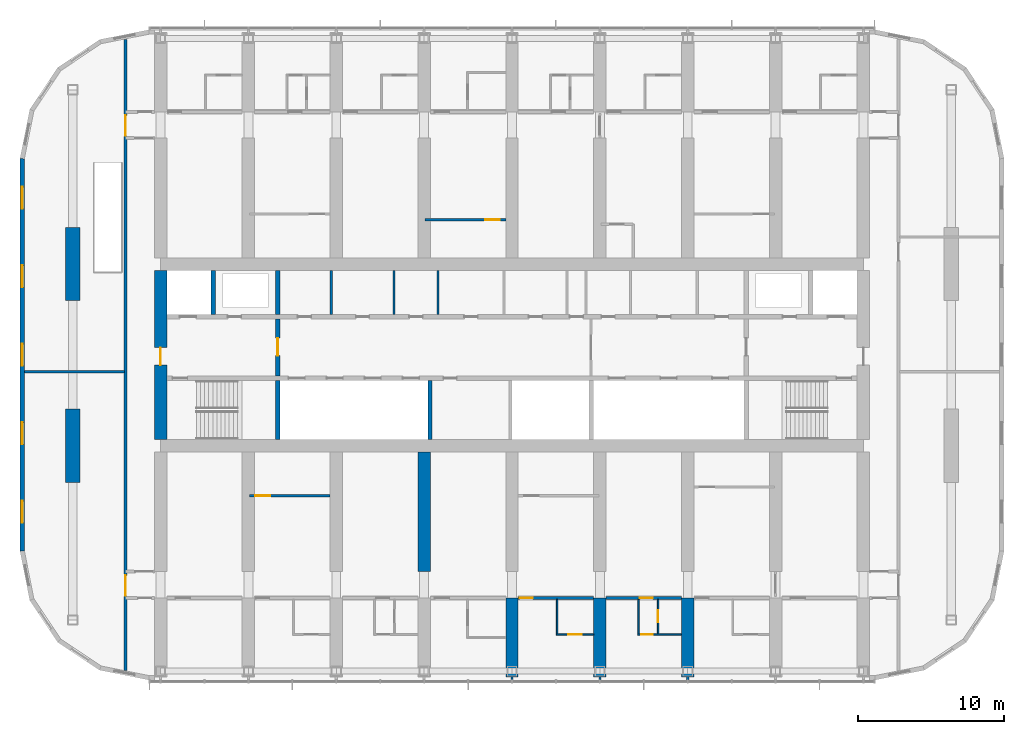
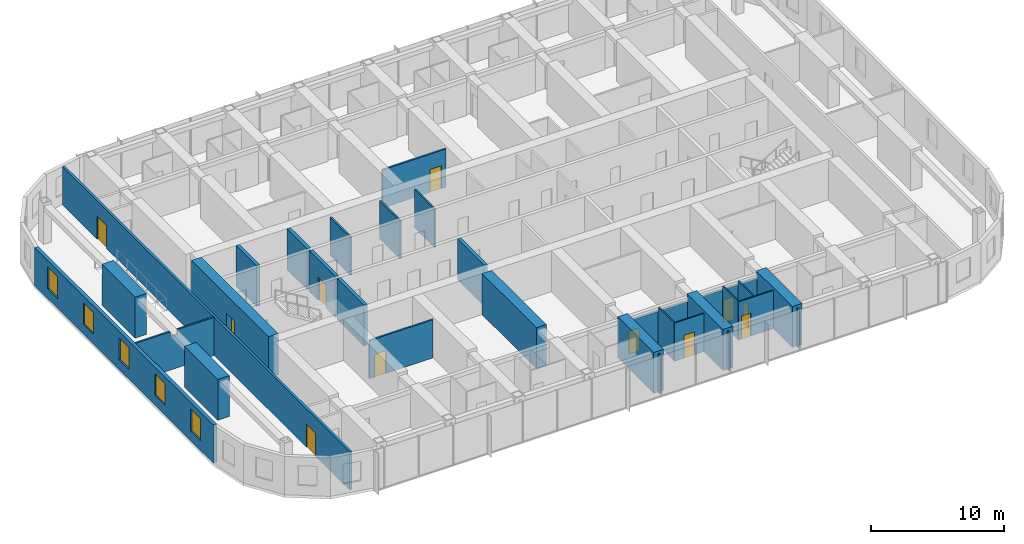
# One storey, part 11 of 22: 30 walls, 11 doors, 5 windows, 16 openings.
"""IFC4 building model written with IfcOpenShell, lengths in metres."""

from ifc_helpers import new_model, si_unit, direction, frame, frame_2d, origin, place, context, subcontext, project, spatial, polyline, rectangle, outline, extrude, material, layer, layer_set, type_object, element, fill, save


model = new_model("IFC4")

# Units and contexts
model_context = context("Model", 3, precision=1e-05, world=origin(), true_north=direction((0.0, 1.0)))
body_context = subcontext(model_context, "Body", "Model", "MODEL_VIEW")
ifc_project = project(units=[si_unit("LENGTHUNIT", "METRE"), si_unit("AREAUNIT", "SQUARE_METRE"), si_unit("VOLUMEUNIT", "CUBIC_METRE"), si_unit("PLANEANGLEUNIT", "RADIAN"), si_unit("MASSUNIT", "GRAM", prefix="KILO")], contexts=[model_context])

# Site, building, storey
site_placement = place(None, origin())
site = spatial("IfcSite", under=ifc_project, at=site_placement, CompositionType="ELEMENT")
building_placement = place(site_placement, origin())
building = spatial("IfcBuilding", under=site, at=building_placement, Name="Orbita Commons", CompositionType="ELEMENT")
storey_placement = place(building_placement, frame((0.0, 0.0, 152.35009765625)))
storey = spatial("IfcBuildingStorey", under=building, at=storey_placement, Name="L37", CompositionType="ELEMENT", Elevation=152.35009765625)

# Wall
ifc_material_1 = material(Name="Concrete C50/60", Category="concrete")
ifc_layer_1 = layer(ifc_material_1, 0.300048828125)
ifc_layer_set_1 = layer_set([ifc_layer_1], Name="Concrete C50/60")
wall_type_1 = type_object("IfcWallType", Name="Core inner wall 300 C50/60", PredefinedType="SHEAR", material=ifc_layer_set_1)
wall_1_placement = place(storey_placement, frame((26.0, 26.22509765625, 0.0), z_axis=(0.0, 0.0, 1.0), x_axis=(0.0, 1.0, 0.0)))
element("IfcWall", 1, at=wall_1_placement, inside=storey, type_object=wall_type_1, Name="Stair S1 wall L37", PredefinedType="SHEAR", context=body_context, shape_type="SweptSolid", body=[
    extrude(rectangle(XDim=4.02490234375, YDim=0.300048828125, at=frame_2d((2.012451171875, 0.0))), origin(), (0.0, 0.0, 1.0), 3.75),
])

# Wall, opening, door
wall_2_placement = place(storey_placement, frame((26.0, 30.550048828125, 0.0), z_axis=(0.0, 0.0, 1.0), x_axis=(0.0, 1.0, 0.0)))
wall_2 = element("IfcWall", 2, at=wall_2_placement, inside=storey, type_object=wall_type_1, Name="Firefighting lobby wall west L37", PredefinedType="SHEAR", context=body_context, shape_type="SweptSolid", body=[
    extrude(rectangle(XDim=3.89990234375, YDim=0.300048828125, at=frame_2d((1.949951171875, 0.0))), origin(), (0.0, 0.0, 1.0), 3.75),
])
opening_1_placement = place(wall_2_placement, frame((1.39990234375, 0.0, 0.0)))
opening_1 = element("IfcOpeningElement", 3, at=opening_1_placement, cuts=wall_2, Name="Opening D04", PredefinedType="OPENING", context=body_context, shape_type="SweptSolid", body=[
    extrude(rectangle(XDim=1.199951171875, YDim=2.10009765625, at=frame_2d((0.60009765625, 1.050048828125))), frame((0.0, 0.159912109375, 0.0), z_axis=(0.0, -1.0, 0.0), x_axis=(1.0, 0.0, 0.0)), (0.0, 0.0, 1.0), 0.320068359375),
])
ifc_material_2 = material(Name="Steel-faced fire door leaf", Category="steel")
door_type_1 = type_object("IfcDoorType", Name="Service door 20 min 1200x2100", OperationType="SINGLE_SWING_LEFT", PredefinedType="DOOR", material=ifc_material_2)
door_1_placement = place(opening_1_placement, origin())
door_1 = element("IfcDoor", 4, at=door_1_placement, inside=storey, type_object=door_type_1, Name="Lift lobby door west", OperationType="SINGLE_SWING_LEFT", OverallHeight=2.10009765625, OverallWidth=1.199951171875, PredefinedType="DOOR", context=body_context, shape_type="SweptSolid", body=[
    extrude(rectangle(XDim=1.199951171875, YDim=2.10009765625, at=frame_2d((0.60009765625, 1.050048828125))), frame((0.0, 0.02490234375, 0.0), z_axis=(0.0, -1.0, 0.0), x_axis=(1.0, 0.0, 0.0)), (0.0, 0.0, 1.0), 0.050048828125),
])
fill(opening_1, door_1)

# Walls
for number, where, z_axis, x_axis, name in (
    (5, (21.60009765625, 34.75, 0.0), (0.0, 0.0, 1.0), (0.0, 1.0, 0.0), "Firefighting lift FL1 shaft wall L37"),
    (6, (26.0, 34.75, 0.0), (0.0, 0.0, 1.0), (0.0, 1.0, 0.0), "Riser wall west L37"),
):
    element("IfcWall", number, at=place(storey_placement, frame(where, z_axis=z_axis, x_axis=x_axis)), inside=storey, type_object=wall_type_1, Name=name, PredefinedType="SHEAR", context=body_context, shape_type="SweptSolid", body=[
        extrude(rectangle(XDim=3.02490234375, YDim=0.300048828125, at=frame_2d((1.512451171875, 0.0))), origin(), (0.0, 0.0, 1.0), 3.75),
    ])
wall_3_placement = place(storey_placement, frame((36.39990234375, 26.22509765625, 0.0), z_axis=(0.0, 0.0, 1.0), x_axis=(0.0, 1.0, 0.0)))
element("IfcWall", 7, at=wall_3_placement, inside=storey, type_object=wall_type_1, Name="Hoistway division wall L37", PredefinedType="SHEAR", context=body_context, shape_type="SweptSolid", body=[
    extrude(rectangle(XDim=4.02490234375, YDim=0.300048828125, at=frame_2d((2.012451171875, 0.0))), origin(), (0.0, 0.0, 1.0), 3.75),
])
ifc_material_3 = material(Name="Concrete blockwork", Category="masonry")
ifc_layer_2 = layer(ifc_material_3, 0.14990234375)
ifc_layer_set_2 = layer_set([ifc_layer_2], Name="Concrete blockwork")
wall_type_2 = type_object("IfcWallType", Name="Core partition 150 blockwork", PredefinedType="SOLIDWALL", material=ifc_layer_set_2)
for number, where, z_axis, x_axis, name in (
    (8, (29.65087890625, 34.75, 0.0), (0.0, 0.0, 1.0), (0.0, 1.0, 0.0), "Core partition 150 blockwork L37"),
    (9, (33.9462890625, 34.75, 0.0), (0.0, 0.0, 1.0), (0.0, 1.0, 0.0), "Core partition 150 blockwork L37"),
    (10, (36.9462890625, 34.75, 0.0), (0.0, 0.0, 1.0), (0.0, 1.0, 0.0), "Core partition 150 blockwork L37"),
):
    element("IfcWall", number, at=place(storey_placement, frame(where, z_axis=z_axis, x_axis=x_axis)), inside=storey, type_object=wall_type_2, Name=name, PredefinedType="SOLIDWALL", context=body_context, shape_type="SweptSolid", body=[
        extrude(rectangle(XDim=3.02490234375, YDim=0.14990234375, at=frame_2d((1.512451171875, 0.0))), origin(), (0.0, 0.0, 1.0), 3.5),
    ])

# Wall, opening, door
ifc_material_4 = material(Name="Concrete C50/60", Category="concrete")
ifc_layer_3 = layer(ifc_material_4, 0.85009765625)
ifc_layer_set_3 = layer_set([ifc_layer_3], Name="Concrete C50/60")
wall_type_3 = type_object("IfcWallType", Name="Core wall 850 C50/60", PredefinedType="SHEAR", material=ifc_layer_set_3)
wall_4_placement = place(storey_placement, frame((18.0, 26.22509765625, 0.0), z_axis=(0.0, 0.0, 1.0), x_axis=(0.0, 1.0, 0.0)))
wall_4 = element("IfcWall", 11, at=wall_4_placement, inside=storey, type_object=wall_type_3, Name="Core end wall west L37", PredefinedType="SHEAR", context=body_context, shape_type="SweptSolid", body=[
    extrude(rectangle(XDim=11.5498046875, YDim=0.85009765625, at=frame_2d((5.77490234375, 0.0))), origin(), (0.0, 0.0, 1.0), 3.75),
])
opening_2_placement = place(wall_4_placement, frame((5.074951171875, 0.0, 0.0)))
opening_2 = element("IfcOpeningElement", 12, at=opening_2_placement, cuts=wall_4, Name="Opening D01", PredefinedType="OPENING", context=body_context, shape_type="SweptSolid", body=[
    extrude(rectangle(XDim=1.199951171875, YDim=2.10009765625, at=frame_2d((0.60009765625, 1.050048828125))), frame((0.0, 0.43505859375, 0.0), z_axis=(0.0, -1.0, 0.0), x_axis=(1.0, 0.0, 0.0)), (0.0, 0.0, 1.0), 0.8701171875),
])
ifc_material_5 = material(Name="Steel-faced fire door leaf", Category="steel")
door_type_2 = type_object("IfcDoorType", Name="Fire door 90 min 1200x2100", OperationType="SINGLE_SWING_LEFT", PredefinedType="DOOR", material=ifc_material_5)
door_2_placement = place(opening_2_placement, origin())
door_2 = element("IfcDoor", 13, at=door_2_placement, inside=storey, type_object=door_type_2, Name="Firefighting lobby west door", OperationType="SINGLE_SWING_LEFT", OverallHeight=2.10009765625, OverallWidth=1.199951171875, PredefinedType="DOOR", context=body_context, shape_type="SweptSolid", body=[
    extrude(rectangle(XDim=1.199951171875, YDim=2.10009765625, at=frame_2d((0.60009765625, 1.050048828125))), frame((0.0, 0.02490234375, 0.0), z_axis=(0.0, -1.0, 0.0), x_axis=(1.0, 0.0, 0.0)), (0.0, 0.0, 1.0), 0.050048828125),
])
fill(opening_2, door_2)

ifc_material_6 = material(Name="Concrete blockwork", Category="masonry")
ifc_layer_4 = layer(ifc_material_6, 0.199951171875)
ifc_layer_set_4 = layer_set([ifc_layer_4], Name="Concrete blockwork")
wall_type_4 = type_object("IfcWallType", Name="Corridor wall 200 blockwork", PredefinedType="SOLIDWALL", material=ifc_layer_set_4)
wall_5_placement = place(storey_placement, frame((42.425048828125, 15.39990234375, 0.0), z_axis=(0.0, 0.0, 1.0), x_axis=(1.0, 0.0, 0.0)))
wall_5 = element("IfcWall", 14, at=wall_5_placement, inside=storey, type_object=wall_type_4, Name="Corridor wall 200 blockwork L37", PredefinedType="SOLIDWALL", context=body_context, shape_type="SweptSolid", body=[
    extrude(outline(polyline([(0.0, 0.0), (5.14990234375, 0.0), (5.14990234375, 3.099853515625), (0.0, 3.099853515625), (0.0, 0.0)])), frame((0.0, 0.10009765625, 0.0), z_axis=(0.0, -1.0, 0.0), x_axis=(1.0, 0.0, 0.0)), (0.0, 0.0, 1.0), 0.199951171875),
])
opening_3_placement = place(wall_5_placement, frame((0.10009765625, 0.0, 0.0)))
opening_3 = element("IfcOpeningElement", 15, at=opening_3_placement, cuts=wall_5, Name="Opening D11", PredefinedType="OPENING", context=body_context, shape_type="SweptSolid", body=[
    extrude(rectangle(XDim=0.89990234375, YDim=2.10009765625, at=frame_2d((0.449951171875, 1.050048828125))), frame((0.0, 0.10986328125, 0.0), z_axis=(0.0, -1.0, 0.0), x_axis=(1.0, 0.0, 0.0)), (0.0, 0.0, 1.0), 0.219970703125),
])
ifc_material_7 = material(Name="Steel-faced fire door leaf", Category="steel")
door_type_3 = type_object("IfcDoorType", Name="Corridor door 20 min 900x2100", OperationType="SINGLE_SWING_LEFT", PredefinedType="DOOR", material=ifc_material_7)
door_3_placement = place(opening_3_placement, origin())
door_3 = element("IfcDoor", 16, at=door_3_placement, inside=storey, type_object=door_type_3, Name="Twin room L37-S08 door", OperationType="SINGLE_SWING_LEFT", OverallHeight=2.10009765625, OverallWidth=0.89990234375, PredefinedType="DOOR", context=body_context, shape_type="SweptSolid", body=[
    extrude(rectangle(XDim=0.89990234375, YDim=2.10009765625, at=frame_2d((0.449951171875, 1.050048828125))), frame((0.0, 0.02490234375, 0.0), z_axis=(0.0, -1.0, 0.0), x_axis=(1.0, 0.0, 0.0)), (0.0, 0.0, 1.0), 0.050048828125),
])
fill(opening_3, door_3)

wall_6_placement = place(storey_placement, frame((48.425048828125, 15.39990234375, 0.0), z_axis=(0.0, 0.0, 1.0), x_axis=(1.0, 0.0, 0.0)))
wall_6 = element("IfcWall", 17, at=wall_6_placement, inside=storey, type_object=wall_type_4, Name="Corridor wall 200 blockwork L37", PredefinedType="SOLIDWALL", context=body_context, shape_type="SweptSolid", body=[
    extrude(outline(polyline([(0.0, 0.0), (5.14990234375, 0.0), (5.14990234375, 3.099853515625), (0.0, 3.099853515625), (0.0, 0.0)])), frame((0.0, 0.10009765625, 0.0), z_axis=(0.0, -1.0, 0.0), x_axis=(1.0, 0.0, 0.0)), (0.0, 0.0, 1.0), 0.199951171875),
])
opening_4_placement = place(wall_6_placement, frame((2.300048828125, 0.0, 0.0)))
opening_4 = element("IfcOpeningElement", 18, at=opening_4_placement, cuts=wall_6, Name="Opening D11", PredefinedType="OPENING", context=body_context, shape_type="SweptSolid", body=[
    extrude(rectangle(XDim=0.89990234375, YDim=2.10009765625, at=frame_2d((0.449951171875, 1.050048828125))), frame((0.0, 0.10986328125, 0.0), z_axis=(0.0, -1.0, 0.0), x_axis=(1.0, 0.0, 0.0)), (0.0, 0.0, 1.0), 0.219970703125),
])
door_4_placement = place(opening_4_placement, origin())
door_4 = element("IfcDoor", 19, at=door_4_placement, inside=storey, type_object=door_type_3, Name="Studio flat L37-S10 entrance door", OperationType="SINGLE_SWING_LEFT", OverallHeight=2.10009765625, OverallWidth=0.89990234375, PredefinedType="DOOR", context=body_context, shape_type="SweptSolid", body=[
    extrude(rectangle(XDim=0.89990234375, YDim=2.10009765625, at=frame_2d((0.449951171875, 1.050048828125))), frame((0.0, 0.02490234375, 0.0), z_axis=(0.0, -1.0, 0.0), x_axis=(1.0, 0.0, 0.0)), (0.0, 0.0, 1.0), 0.050048828125),
])
fill(opening_4, door_4)

# Wall, openings, doors
wall_7_placement = place(storey_placement, frame((15.60009765625, 10.4462890625, 0.0), z_axis=(0.0, 0.0, 1.0), x_axis=(0.0, 1.0, 0.0)))
wall_7 = element("IfcWall", 20, at=wall_7_placement, inside=storey, type_object=wall_type_4, Name="Corridor wall 200 blockwork L37", PredefinedType="SOLIDWALL", context=body_context, shape_type="SweptSolid", body=[
    extrude(rectangle(XDim=43.107421875, YDim=0.199951171875, at=frame_2d((21.5537109375, 0.0))), origin(), (0.0, 0.0, 1.0), 3.5),
])
opening_5_placement = place(wall_7_placement, frame((5.103759765625, 0.0, 0.0)))
opening_5 = element("IfcOpeningElement", 21, at=opening_5_placement, cuts=wall_7, Name="Opening D08", PredefinedType="OPENING", context=body_context, shape_type="SweptSolid", body=[
    extrude(rectangle(XDim=1.39990234375, YDim=2.10009765625, at=frame_2d((0.699951171875, 1.050048828125))), frame((0.0, 0.10986328125, 0.0), z_axis=(0.0, -1.0, 0.0), x_axis=(1.0, 0.0, 0.0)), (0.0, 0.0, 1.0), 0.219970703125),
])
opening_6_placement = place(wall_7_placement, frame((36.50390625, 0.0, 0.0)))
opening_6 = element("IfcOpeningElement", 22, at=opening_6_placement, cuts=wall_7, Name="Opening D08", PredefinedType="OPENING", context=body_context, shape_type="SweptSolid", body=[
    extrude(rectangle(XDim=1.39990234375, YDim=2.10009765625, at=frame_2d((0.699951171875, 1.050048828125))), frame((0.0, 0.10986328125, 0.0), z_axis=(0.0, -1.0, 0.0), x_axis=(1.0, 0.0, 0.0)), (0.0, 0.0, 1.0), 0.219970703125),
])
ifc_material_8 = material(Name="Steel-faced fire door leaf", Category="steel")
door_type_4 = type_object("IfcDoorType", Name="Double corridor door 20 min 1400x2100", OperationType="DOUBLE_DOOR_SINGLE_SWING", PredefinedType="DOOR", material=ifc_material_8)
door_5_placement = place(opening_5_placement, origin())
door_5 = element("IfcDoor", 23, at=door_5_placement, inside=storey, type_object=door_type_4, Name="Lounge doors", OperationType="DOUBLE_DOOR_SINGLE_SWING", OverallHeight=2.10009765625, OverallWidth=1.39990234375, PredefinedType="DOOR", context=body_context, shape_type="SweptSolid", body=[
    extrude(rectangle(XDim=1.39990234375, YDim=2.10009765625, at=frame_2d((0.699951171875, 1.050048828125))), frame((0.0, 0.02490234375, 0.0), z_axis=(0.0, -1.0, 0.0), x_axis=(1.0, 0.0, 0.0)), (0.0, 0.0, 1.0), 0.050048828125),
])
fill(opening_5, door_5)
door_6_placement = place(opening_6_placement, origin())
door_6 = element("IfcDoor", 24, at=door_6_placement, inside=storey, type_object=door_type_4, Name="Lounge doors", OperationType="DOUBLE_DOOR_SINGLE_SWING", OverallHeight=2.10009765625, OverallWidth=1.39990234375, PredefinedType="DOOR", context=body_context, shape_type="SweptSolid", body=[
    extrude(rectangle(XDim=1.39990234375, YDim=2.10009765625, at=frame_2d((0.699951171875, 1.050048828125))), frame((0.0, 0.02490234375, 0.0), z_axis=(0.0, -1.0, 0.0), x_axis=(1.0, 0.0, 0.0)), (0.0, 0.0, 1.0), 0.050048828125),
])
fill(opening_6, door_6)

# Walls
ifc_material_9 = material(Name="Concrete C50/60", Category="concrete")
ifc_layer_5 = layer(ifc_material_9, 0.85009765625)
ifc_layer_set_5 = layer_set([ifc_layer_5], Name="Concrete C50/60")
wall_type_5 = type_object("IfcWallType", Name="Cross wall 850 C50/60", PredefinedType="SHEAR", material=ifc_layer_set_5)
wall_8_placement = place(storey_placement, frame((36.0, 17.199951171875, 0.0), z_axis=(0.0, 0.0, 1.0), x_axis=(0.0, 1.0, 0.0)))
element("IfcWall", 25, at=wall_8_placement, inside=storey, type_object=wall_type_5, Name="Cross wall 7 south inner L37", PredefinedType="SHEAR", context=body_context, shape_type="SweptSolid", body=[
    extrude(rectangle(XDim=8.175048828125, YDim=0.85009765625, at=frame_2d((4.08740234375, 0.0))), origin(), (0.0, 0.0, 1.0), 3.75),
])
for number, where, z_axis, x_axis, name in (
    (26, (42.0, 10.0, 0.0), (0.0, 0.0, 1.0), (0.0, 1.0, 0.0), "Cross wall 8 south outer L37"),
    (27, (48.0, 10.0, 0.0), (0.0, 0.0, 1.0), (0.0, 1.0, 0.0), "Cross wall 9 south outer L37"),
    (28, (54.0, 10.0, 0.0), (0.0, 0.0, 1.0), (0.0, 1.0, 0.0), "Cross wall 10 south outer L37"),
):
    element("IfcWall", number, at=place(storey_placement, frame(where, z_axis=z_axis, x_axis=x_axis)), inside=storey, type_object=wall_type_5, Name=name, PredefinedType="SHEAR", context=body_context, shape_type="SweptSolid", body=[
        extrude(rectangle(XDim=5.39990234375, YDim=0.85009765625, at=frame_2d((2.699951171875, 0.0))), origin(), (0.0, 0.0, 1.0), 3.75),
    ])

# Wall, opening, door
ifc_material_10 = material(Name="Moisture-resistant plasterboard on steel studs", Category="steel")
ifc_layer_6 = layer(ifc_material_10, 0.10009765625)
ifc_layer_set_6 = layer_set([ifc_layer_6], Name="Moisture-resistant plasterboard on steel studs")
wall_type_6 = type_object("IfcWallType", Name="En-suite partition 100", PredefinedType="PARTITIONING", material=ifc_layer_set_6)
wall_9_placement = place(storey_placement, frame((47.574951171875, 12.89990234375, 0.0), z_axis=(0.0, 0.0, 1.0), x_axis=(-1.0, 0.0, 0.0)))
wall_9 = element("IfcWall", 29, at=wall_9_placement, inside=storey, type_object=wall_type_6, Name="En-suite partition 100 L37", PredefinedType="PARTITIONING", context=body_context, shape_type="SweptSolid", body=[
    extrude(rectangle(XDim=2.550048828125, YDim=0.10009765625, at=frame_2d((1.27490234375, 0.0))), origin(), (0.0, 0.0, 1.0), 3.5),
])
opening_7_placement = place(wall_9_placement, frame((0.824951171875, 0.0, 0.0)))
opening_7 = element("IfcOpeningElement", 30, at=opening_7_placement, cuts=wall_9, Name="Opening D09", PredefinedType="OPENING", context=body_context, shape_type="SweptSolid", body=[
    extrude(rectangle(XDim=0.89990234375, YDim=2.10009765625, at=frame_2d((0.449951171875, 1.050048828125))), frame((0.0, 0.06005859375, 0.0), z_axis=(0.0, -1.0, 0.0), x_axis=(1.0, 0.0, 0.0)), (0.0, 0.0, 1.0), 0.1201171875),
])
ifc_material_11 = material(Name="Laminated timber door leaf", Category="wood")
door_type_5 = type_object("IfcDoorType", Name="En-suite door 900x2100", OperationType="SINGLE_SWING_RIGHT", PredefinedType="DOOR", material=ifc_material_11)
door_7_placement = place(opening_7_placement, origin())
door_7 = element("IfcDoor", 31, at=door_7_placement, inside=storey, type_object=door_type_5, Name="En-suite L37-S08 door", OperationType="SINGLE_SWING_RIGHT", OverallHeight=2.10009765625, OverallWidth=0.89990234375, PredefinedType="DOOR", context=body_context, shape_type="SweptSolid", body=[
    extrude(rectangle(XDim=0.89990234375, YDim=2.10009765625, at=frame_2d((0.449951171875, 1.050048828125))), frame((0.0, 0.02490234375, 0.0), z_axis=(0.0, -1.0, 0.0), x_axis=(1.0, 0.0, 0.0)), (0.0, 0.0, 1.0), 0.050048828125),
])
fill(opening_7, door_7)

# Wall
wall_10_placement = place(storey_placement, frame((45.074951171875, 12.949951171875, 0.0), z_axis=(0.0, 0.0, 1.0), x_axis=(0.0, 1.0, 0.0)))
element("IfcWall", 32, at=wall_10_placement, inside=storey, type_object=wall_type_6, Name="En-suite partition 100 L37", PredefinedType="PARTITIONING", context=body_context, shape_type="SweptSolid", body=[
    extrude(outline(polyline([(0.0, 0.0), (2.35009765625, 0.0), (2.35009765625, 3.099853515625), (2.302001953125, 3.099853515625), (2.300048828125, 3.5), (0.0, 3.5), (0.0, 0.0)])), frame((0.0, 0.050048828125, 0.0), z_axis=(0.0, -1.0, 0.0), x_axis=(1.0, 0.0, 0.0)), (0.0, 0.0, 1.0), 0.10009765625),
])

# Wall, opening, door
wall_11_placement = place(storey_placement, frame((53.574951171875, 12.89990234375, 0.0), z_axis=(0.0, 0.0, 1.0), x_axis=(-1.0, 0.0, 0.0)))
wall_11 = element("IfcWall", 33, at=wall_11_placement, inside=storey, type_object=wall_type_6, Name="En-suite partition 100 L37", PredefinedType="PARTITIONING", context=body_context, shape_type="SweptSolid", body=[
    extrude(rectangle(XDim=3.0, YDim=0.10009765625, at=frame_2d((1.5, 0.0))), origin(), (0.0, 0.0, 1.0), 3.5),
])
opening_8_placement = place(wall_11_placement, frame((1.949951171875, 0.0, 0.0)))
opening_8 = element("IfcOpeningElement", 34, at=opening_8_placement, cuts=wall_11, Name="Opening D16", PredefinedType="OPENING", context=body_context, shape_type="SweptSolid", body=[
    extrude(rectangle(XDim=0.800048828125, YDim=2.10009765625, at=frame_2d((0.39990234375, 1.050048828125))), frame((0.0, 0.06005859375, 0.0), z_axis=(0.0, -1.0, 0.0), x_axis=(1.0, 0.0, 0.0)), (0.0, 0.0, 1.0), 0.1201171875),
])
ifc_material_12 = material(Name="Laminated timber door leaf", Category="wood")
door_type_6 = type_object("IfcDoorType", Name="En-suite door 800x2100", OperationType="SINGLE_SWING_RIGHT", PredefinedType="DOOR", material=ifc_material_12)
door_8_placement = place(opening_8_placement, origin())
door_8 = element("IfcDoor", 35, at=door_8_placement, inside=storey, type_object=door_type_6, Name="Studio flat L37-S10 door", OperationType="SINGLE_SWING_RIGHT", OverallHeight=2.10009765625, OverallWidth=0.800048828125, PredefinedType="DOOR", context=body_context, shape_type="SweptSolid", body=[
    extrude(rectangle(XDim=0.800048828125, YDim=2.10009765625, at=frame_2d((0.39990234375, 1.050048828125))), frame((0.0, 0.02490234375, 0.0), z_axis=(0.0, -1.0, 0.0), x_axis=(1.0, 0.0, 0.0)), (0.0, 0.0, 1.0), 0.050048828125),
])
fill(opening_8, door_8)

# Wall
wall_12_placement = place(storey_placement, frame((50.625, 12.949951171875, 0.0), z_axis=(0.0, 0.0, 1.0), x_axis=(0.0, 1.0, 0.0)))
element("IfcWall", 36, at=wall_12_placement, inside=storey, type_object=wall_type_6, Name="En-suite partition 100 L37", PredefinedType="PARTITIONING", context=body_context, shape_type="SweptSolid", body=[
    extrude(outline(polyline([(0.0, 0.0), (2.35009765625, 0.0), (2.35009765625, 3.099853515625), (2.302001953125, 3.099853515625), (2.300048828125, 3.5), (0.0, 3.5), (0.0, 0.0)])), frame((0.0, 0.050048828125, 0.0), z_axis=(0.0, -1.0, 0.0), x_axis=(1.0, 0.0, 0.0)), (0.0, 0.0, 1.0), 0.10009765625),
])

# Wall, opening, door
wall_13_placement = place(storey_placement, frame((51.97509765625, 12.949951171875, 0.0), z_axis=(0.0, 0.0, 1.0), x_axis=(0.0, 1.0, 0.0)))
wall_13 = element("IfcWall", 37, at=wall_13_placement, inside=storey, type_object=wall_type_6, Name="En-suite partition 100 L37", PredefinedType="PARTITIONING", context=body_context, shape_type="SweptSolid", body=[
    extrude(outline(polyline([(0.0, 0.0), (2.35009765625, 0.0), (2.35009765625, 3.099853515625), (2.302001953125, 3.099853515625), (2.300048828125, 3.5), (0.0, 3.5), (0.0, 0.0)])), frame((0.0, 0.050048828125, 0.0), z_axis=(0.0, -1.0, 0.0), x_axis=(1.0, 0.0, 0.0)), (0.0, 0.0, 1.0), 0.10009765625),
])
opening_9_placement = place(wall_13_placement, frame((0.800048828125, 0.0, 0.0)))
opening_9 = element("IfcOpeningElement", 38, at=opening_9_placement, cuts=wall_13, Name="Opening D16", PredefinedType="OPENING", context=body_context, shape_type="SweptSolid", body=[
    extrude(rectangle(XDim=0.800048828125, YDim=2.10009765625, at=frame_2d((0.39990234375, 1.050048828125))), frame((0.0, 0.06005859375, 0.0), z_axis=(0.0, -1.0, 0.0), x_axis=(1.0, 0.0, 0.0)), (0.0, 0.0, 1.0), 0.1201171875),
])
door_9_placement = place(opening_9_placement, origin())
door_9 = element("IfcDoor", 39, at=door_9_placement, inside=storey, type_object=door_type_6, Name="Studio flat shower room L37-S10 door", OperationType="SINGLE_SWING_RIGHT", OverallHeight=2.10009765625, OverallWidth=0.800048828125, PredefinedType="DOOR", context=body_context, shape_type="SweptSolid", body=[
    extrude(rectangle(XDim=0.800048828125, YDim=2.10009765625, at=frame_2d((0.39990234375, 1.050048828125))), frame((0.0, 0.02490234375, 0.0), z_axis=(0.0, -1.0, 0.0), x_axis=(1.0, 0.0, 0.0)), (0.0, 0.0, 1.0), 0.050048828125),
])
fill(opening_9, door_9)

# Walls
ifc_material_13 = material(Name="Concrete C50/60", Category="concrete")
ifc_layer_7 = layer(ifc_material_13, 1.0)
ifc_layer_set_7 = layer_set([ifc_layer_7], Name="Concrete C50/60")
wall_type_7 = type_object("IfcWallType", Name="End pier 1000x5000 C50/60", PredefinedType="SHEAR", material=ifc_layer_set_7)
for number, where, z_axis, x_axis, name in (
    (40, (12.0, 23.300048828125, 0.0), (0.0, 0.0, 1.0), (0.0, 1.0, 0.0), "End pier 3/C L37"),
    (41, (12.0, 35.699951171875, 0.0), (0.0, 0.0, 1.0), (0.0, 1.0, 0.0), "End pier 3/D L37"),
):
    element("IfcWall", number, at=place(storey_placement, frame(where, z_axis=z_axis, x_axis=x_axis)), inside=storey, type_object=wall_type_7, Name=name, PredefinedType="SHEAR", context=body_context, shape_type="SweptSolid", body=[
        extrude(rectangle(XDim=5.0, YDim=1.0, at=frame_2d((2.5, 0.0))), origin(), (0.0, 0.0, 1.0), 3.75),
    ])

# Wall, opening, door
ifc_material_14 = material(Name="Gypsum plasterboard on steel studs", Category="steel")
ifc_layer_8 = layer(ifc_material_14, 0.14990234375)
ifc_layer_set_8 = layer_set([ifc_layer_8], Name="Gypsum plasterboard on steel studs")
wall_type_8 = type_object("IfcWallType", Name="Partition 150 plasterboard", PredefinedType="PARTITIONING", material=ifc_layer_set_8)
wall_14_placement = place(storey_placement, frame((24.074951171875, 22.375, 0.0), z_axis=(0.0, 0.0, 1.0), x_axis=(1.0, 0.0, 0.0)))
wall_14 = element("IfcWall", 42, at=wall_14_placement, inside=storey, type_object=wall_type_8, Name="Partition 150 plasterboard L37", PredefinedType="PARTITIONING", context=body_context, shape_type="SweptSolid", body=[
    extrude(rectangle(XDim=5.5, YDim=0.14990234375, at=frame_2d((2.75, 0.0))), origin(), (0.0, 0.0, 1.0), 3.5),
])
opening_10_placement = place(wall_14_placement, frame((0.39990234375, 0.0, 0.0)))
opening_10 = element("IfcOpeningElement", 43, at=opening_10_placement, cuts=wall_14, Name="Opening D17", PredefinedType="OPENING", context=body_context, shape_type="SweptSolid", body=[
    extrude(rectangle(XDim=1.0, YDim=2.10009765625, at=frame_2d((0.5, 1.050048828125))), frame((0.0, 0.0849609375, 0.0), z_axis=(0.0, -1.0, 0.0), x_axis=(1.0, 0.0, 0.0)), (0.0, 0.0, 1.0), 0.169921875),
])
ifc_material_15 = material(Name="Steel-faced fire door leaf", Category="steel")
door_type_7 = type_object("IfcDoorType", Name="Shaft access door 90 min 1000x2100", OperationType="SINGLE_SWING_LEFT", PredefinedType="DOOR", material=ifc_material_15)
door_10_placement = place(opening_10_placement, origin())
door_10 = element("IfcDoor", 44, at=door_10_placement, inside=storey, type_object=door_type_7, Name="Ventilation plant room south L37-BDS24 door", OperationType="SINGLE_SWING_LEFT", OverallHeight=2.10009765625, OverallWidth=1.0, PredefinedType="DOOR", context=body_context, shape_type="SweptSolid", body=[
    extrude(rectangle(XDim=1.0, YDim=2.10009765625, at=frame_2d((0.5, 1.050048828125))), frame((0.0, 0.02490234375, 0.0), z_axis=(0.0, -1.0, 0.0), x_axis=(1.0, 0.0, 0.0)), (0.0, 0.0, 1.0), 0.050048828125),
])
fill(opening_10, door_10)

wall_15_placement = place(storey_placement, frame((41.574951171875, 41.22509765625, 0.0), z_axis=(0.0, 0.0, 1.0), x_axis=(-1.0, 0.0, 0.0)))
wall_15 = element("IfcWall", 45, at=wall_15_placement, inside=storey, type_object=wall_type_8, Name="Partition 150 plasterboard L37", PredefinedType="PARTITIONING", context=body_context, shape_type="SweptSolid", body=[
    extrude(rectangle(XDim=5.5, YDim=0.14990234375, at=frame_2d((2.75, 0.0))), origin(), (0.0, 0.0, 1.0), 3.5),
])
opening_11_placement = place(wall_15_placement, frame((0.39990234375, 0.0, 0.0)))
opening_11 = element("IfcOpeningElement", 46, at=opening_11_placement, cuts=wall_15, Name="Opening D17", PredefinedType="OPENING", context=body_context, shape_type="SweptSolid", body=[
    extrude(rectangle(XDim=1.0, YDim=2.10009765625, at=frame_2d((0.5, 1.050048828125))), frame((0.0, 0.0849609375, 0.0), z_axis=(0.0, -1.0, 0.0), x_axis=(1.0, 0.0, 0.0)), (0.0, 0.0, 1.0), 0.169921875),
])
door_11_placement = place(opening_11_placement, origin())
door_11 = element("IfcDoor", 47, at=door_11_placement, inside=storey, type_object=door_type_7, Name="Electrical and data room L37-BDN36 door", OperationType="SINGLE_SWING_LEFT", OverallHeight=2.10009765625, OverallWidth=1.0, PredefinedType="DOOR", context=body_context, shape_type="SweptSolid", body=[
    extrude(rectangle(XDim=1.0, YDim=2.10009765625, at=frame_2d((0.5, 1.050048828125))), frame((0.0, 0.02490234375, 0.0), z_axis=(0.0, -1.0, 0.0), x_axis=(1.0, 0.0, 0.0)), (0.0, 0.0, 1.0), 0.050048828125),
])
fill(opening_11, door_11)

# Walls
wall_16_placement = place(storey_placement, frame((8.705078125, 30.85009765625, 0.0), z_axis=(0.0, 0.0, 1.0), x_axis=(1.0, 0.0, 0.0)))
element("IfcWall", 48, at=wall_16_placement, inside=storey, type_object=wall_type_8, Name="Partition 150 plasterboard L37", PredefinedType="PARTITIONING", context=body_context, shape_type="SweptSolid", body=[
    extrude(outline(polyline([(0.0, 0.0), (6.81982421875, 0.0), (6.820068359375, 3.5), (3.596923828125, 3.5), (3.594970703125, 3.0498046875), (2.9970703125, 3.0498046875), (2.9951171875, 3.5), (0.0, 3.5), (0.0, 0.0)])), frame((0.0, 0.074951171875, 0.0), z_axis=(0.0, -1.0, 0.0), x_axis=(1.0, 0.0, 0.0)), (0.0, 0.0, 1.0), 0.14990234375),
])
for number, where, z_axis, x_axis, name in (
    (49, (42.0, 10.050048828125, 0.0), (0.0, 0.0, 1.0), (0.0, -1.0, 0.0), "Partition 150 plasterboard L37"),
    (50, (48.0, 10.050048828125, 0.0), (0.0, 0.0, 1.0), (0.0, -1.0, 0.0), "Partition 150 plasterboard L37"),
    (51, (54.0, 10.050048828125, 0.0), (0.0, 0.0, 1.0), (0.0, -1.0, 0.0), "Partition 150 plasterboard L37"),
):
    element("IfcWall", number, at=place(storey_placement, frame(where, z_axis=z_axis, x_axis=x_axis)), inside=storey, type_object=wall_type_8, Name=name, PredefinedType="PARTITIONING", context=body_context, shape_type="SweptSolid", body=[
        extrude(rectangle(XDim=0.239990234375, YDim=0.14990234375, at=frame_2d((0.1201171875, 0.0))), origin(), (0.0, 0.0, 1.0), 3.5),
    ])

# Wall, openings, windows
ifc_material_16 = material(Name="Precast concrete C40/50, white board-marked finish", Category="concrete")
ifc_layer_9 = layer(ifc_material_16, 0.300048828125)
ifc_layer_set_9 = layer_set([ifc_layer_9], Name="Precast concrete C40/50, white board-marked finish")
wall_type_9 = type_object("IfcWallType", Name="Precast concrete end shield 300", PredefinedType="SOLIDWALL", material=ifc_layer_set_9)
wall_17_placement = place(storey_placement, frame((8.550048828125, 45.39990234375, 0.0), z_axis=(0.0, 0.0, 1.0), x_axis=(0.0, -1.0, 0.0)))
wall_17 = element("IfcWall", 52, at=wall_17_placement, inside=storey, type_object=wall_type_9, Name="End shield W L37", PredefinedType="SOLIDWALL", context=body_context, shape_type="SweptSolid", body=[
    extrude(outline(polyline([(-0.014892578125, -0.14990234375), (26.814697265625, -0.14990234375), (26.784912109375, 0.14990234375), (0.014892578125, 0.14990234375), (-0.014892578125, -0.14990234375)])), origin(), (0.0, 0.0, 1.0), 3.5),
])
opening_12_placement = place(wall_17_placement, frame((1.929931640625, 0.0, 0.89990234375)))
opening_12 = element("IfcOpeningElement", 53, at=opening_12_placement, cuts=wall_17, Name="Opening W01", PredefinedType="OPENING", context=body_context, shape_type="SweptSolid", body=[
    extrude(rectangle(XDim=1.5, YDim=2.0, at=frame_2d((0.75, 1.0))), frame((0.0, 0.159912109375, 0.0), z_axis=(0.0, -1.0, 0.0), x_axis=(1.0, 0.0, 0.0)), (0.0, 0.0, 1.0), 0.320068359375),
])
opening_13_placement = place(wall_17_placement, frame((7.2900390625, 0.0, 0.89990234375)))
opening_13 = element("IfcOpeningElement", 54, at=opening_13_placement, cuts=wall_17, Name="Opening W01", PredefinedType="OPENING", context=body_context, shape_type="SweptSolid", body=[
    extrude(rectangle(XDim=1.5, YDim=2.0, at=frame_2d((0.75, 1.0))), frame((0.0, 0.159912109375, 0.0), z_axis=(0.0, -1.0, 0.0), x_axis=(1.0, 0.0, 0.0)), (0.0, 0.0, 1.0), 0.320068359375),
])
opening_14_placement = place(wall_17_placement, frame((12.64990234375, 0.0, 0.89990234375)))
opening_14 = element("IfcOpeningElement", 55, at=opening_14_placement, cuts=wall_17, Name="Opening W01", PredefinedType="OPENING", context=body_context, shape_type="SweptSolid", body=[
    extrude(rectangle(XDim=1.5, YDim=2.0, at=frame_2d((0.75, 1.0))), frame((0.0, 0.159912109375, 0.0), z_axis=(0.0, -1.0, 0.0), x_axis=(1.0, 0.0, 0.0)), (0.0, 0.0, 1.0), 0.320068359375),
])
opening_15_placement = place(wall_17_placement, frame((18.010009765625, 0.0, 0.89990234375)))
opening_15 = element("IfcOpeningElement", 56, at=opening_15_placement, cuts=wall_17, Name="Opening W01", PredefinedType="OPENING", context=body_context, shape_type="SweptSolid", body=[
    extrude(rectangle(XDim=1.5, YDim=2.0, at=frame_2d((0.75, 1.0))), frame((0.0, 0.159912109375, 0.0), z_axis=(0.0, -1.0, 0.0), x_axis=(1.0, 0.0, 0.0)), (0.0, 0.0, 1.0), 0.320068359375),
])
opening_16_placement = place(wall_17_placement, frame((23.3701171875, 0.0, 0.89990234375)))
opening_16 = element("IfcOpeningElement", 57, at=opening_16_placement, cuts=wall_17, Name="Opening W01", PredefinedType="OPENING", context=body_context, shape_type="SweptSolid", body=[
    extrude(rectangle(XDim=1.5, YDim=2.0, at=frame_2d((0.75, 1.0))), frame((0.0, 0.159912109375, 0.0), z_axis=(0.0, -1.0, 0.0), x_axis=(1.0, 0.0, 0.0)), (0.0, 0.0, 1.0), 0.320068359375),
])
ifc_material_17 = material(Name="Aluminium frame, clear double glazing", Category="aluminium")
window_type = type_object("IfcWindowType", Name="Deep-set window 1500x2000", PartitioningType="SINGLE_PANEL", PredefinedType="WINDOW", material=ifc_material_17)
window_1_placement = place(opening_12_placement, origin())
window_1 = element("IfcWindow", 58, at=window_1_placement, inside=storey, type_object=window_type, Name="Window L37-W 1", OverallHeight=2.0, OverallWidth=1.5, PartitioningType="SINGLE_PANEL", PredefinedType="WINDOW", context=body_context, shape_type="SweptSolid", body=[
    extrude(rectangle(XDim=1.5, YDim=2.0, at=frame_2d((0.75, 1.0))), frame((0.0, 0.030029296875, 0.0), z_axis=(0.0, -1.0, 0.0), x_axis=(1.0, 0.0, 0.0)), (0.0, 0.0, 1.0), 0.06005859375),
])
fill(opening_12, window_1)
window_2_placement = place(opening_13_placement, origin())
window_2 = element("IfcWindow", 59, at=window_2_placement, inside=storey, type_object=window_type, Name="Window L37-W 2", OverallHeight=2.0, OverallWidth=1.5, PartitioningType="SINGLE_PANEL", PredefinedType="WINDOW", context=body_context, shape_type="SweptSolid", body=[
    extrude(rectangle(XDim=1.5, YDim=2.0, at=frame_2d((0.75, 1.0))), frame((0.0, 0.030029296875, 0.0), z_axis=(0.0, -1.0, 0.0), x_axis=(1.0, 0.0, 0.0)), (0.0, 0.0, 1.0), 0.06005859375),
])
fill(opening_13, window_2)
window_3_placement = place(opening_14_placement, origin())
window_3 = element("IfcWindow", 60, at=window_3_placement, inside=storey, type_object=window_type, Name="Window L37-W 3", OverallHeight=2.0, OverallWidth=1.5, PartitioningType="SINGLE_PANEL", PredefinedType="WINDOW", context=body_context, shape_type="SweptSolid", body=[
    extrude(rectangle(XDim=1.5, YDim=2.0, at=frame_2d((0.75, 1.0))), frame((0.0, 0.030029296875, 0.0), z_axis=(0.0, -1.0, 0.0), x_axis=(1.0, 0.0, 0.0)), (0.0, 0.0, 1.0), 0.06005859375),
])
fill(opening_14, window_3)
window_4_placement = place(opening_15_placement, origin())
window_4 = element("IfcWindow", 61, at=window_4_placement, inside=storey, type_object=window_type, Name="Window L37-W 4", OverallHeight=2.0, OverallWidth=1.5, PartitioningType="SINGLE_PANEL", PredefinedType="WINDOW", context=body_context, shape_type="SweptSolid", body=[
    extrude(rectangle(XDim=1.5, YDim=2.0, at=frame_2d((0.75, 1.0))), frame((0.0, 0.030029296875, 0.0), z_axis=(0.0, -1.0, 0.0), x_axis=(1.0, 0.0, 0.0)), (0.0, 0.0, 1.0), 0.06005859375),
])
fill(opening_15, window_4)
window_5_placement = place(opening_16_placement, origin())
window_5 = element("IfcWindow", 62, at=window_5_placement, inside=storey, type_object=window_type, Name="Window L37-W 5", OverallHeight=2.0, OverallWidth=1.5, PartitioningType="SINGLE_PANEL", PredefinedType="WINDOW", context=body_context, shape_type="SweptSolid", body=[
    extrude(rectangle(XDim=1.5, YDim=2.0, at=frame_2d((0.75, 1.0))), frame((0.0, 0.030029296875, 0.0), z_axis=(0.0, -1.0, 0.0), x_axis=(1.0, 0.0, 0.0)), (0.0, 0.0, 1.0), 0.06005859375),
])
fill(opening_16, window_5)

save(model, "model.ifc")
